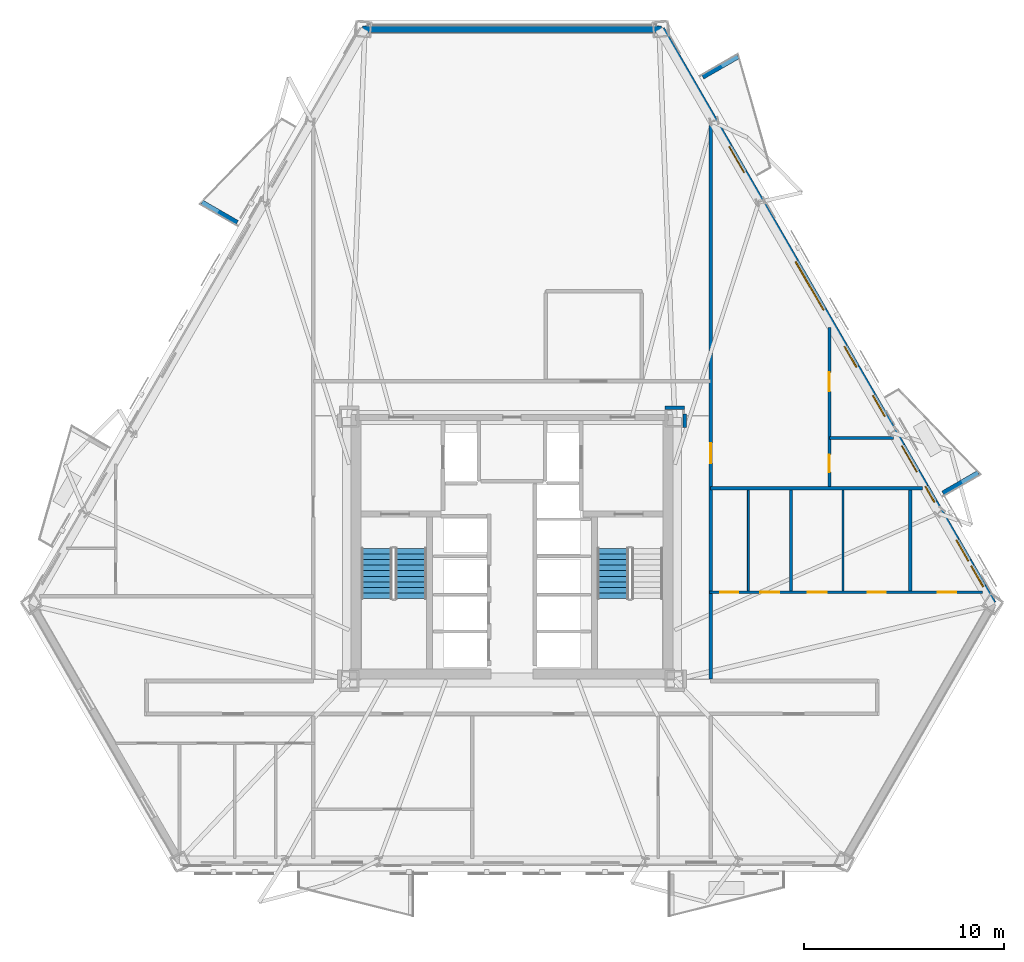
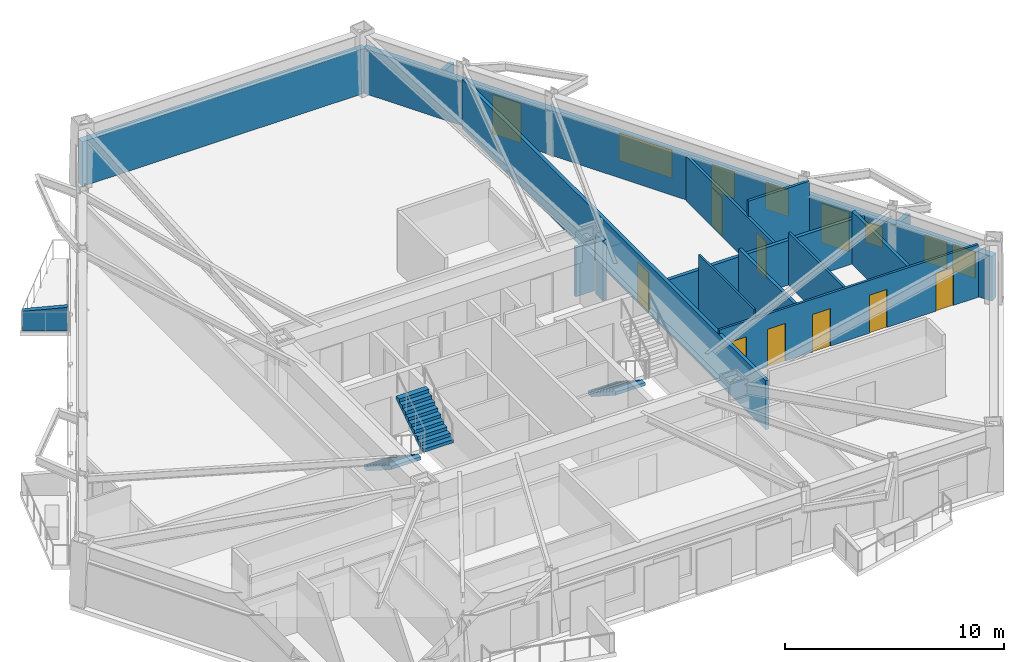
# One storey, part 5 of 12: 16 walls, 10 doors, 6 windows, 3 stair flights, 16 openings, 2 elements without a shape of their own.
"""IFC4 building model written with IfcOpenShell, lengths in metres."""

from ifc_helpers import new_model, si_unit, direction, frame, frame_2d, origin, place, context, subcontext, project, spatial, polyline, rectangle, outline, extrude, material, layer, layer_set, type_object, element, fill, aggregate, save


model = new_model("IFC4")

# Units and contexts
model_context = context("Model", 3, precision=1e-05, world=origin(), true_north=direction((0.0, 1.0)))
body_context = subcontext(model_context, "Body", "Model", "MODEL_VIEW")
ifc_project = project(units=[si_unit("LENGTHUNIT", "METRE"), si_unit("AREAUNIT", "SQUARE_METRE"), si_unit("VOLUMEUNIT", "CUBIC_METRE"), si_unit("PLANEANGLEUNIT", "RADIAN"), si_unit("MASSUNIT", "GRAM", prefix="KILO")], contexts=[model_context])

# Site, building, storey
site_placement = place(None, origin())
site = spatial("IfcSite", under=ifc_project, at=site_placement, CompositionType="ELEMENT")
building_placement = place(site_placement, origin())
building = spatial("IfcBuilding", under=site, at=building_placement, Name="Oramaril Tower", CompositionType="ELEMENT")
storey_placement = place(building_placement, frame((0.0, 0.0, 45.300048828125)))
storey = spatial("IfcBuildingStorey", under=building, at=storey_placement, Name="L11", CompositionType="ELEMENT", Elevation=45.300048828125)

# Wall, openings, doors, windows
ifc_material_1 = material(Name="Warm Cream Limestone", Category="masonry")
ifc_layer_1 = layer(ifc_material_1, 0.340087890625)
ifc_layer_set_1 = layer_set([ifc_layer_1], Name="WT-EXT34")
wall_type_1 = type_object("IfcWallType", Name="WT-EXT34", PredefinedType="SOLIDWALL", material=ifc_layer_set_1)
wall_1_placement = place(storey_placement, frame((61.58447265625, 14.8291015625, 0.0), z_axis=(0.0, 0.0, 1.0), x_axis=(-0.500004112523, 0.866023029405, 0.0)))
wall_1 = element("IfcWall", 1, at=wall_1_placement, inside=storey, type_object=wall_type_1, Name="L11 Tower Limestone Facade Wall 4M", PredefinedType="SOLIDWALL", context=body_context, shape_type="SweptSolid", body=[
    extrude(rectangle(XDim=33.214111328125, YDim=0.340087890625, at=frame_2d((16.60693359375, 0.0))), origin(), (0.0, 0.0, 1.0), 2.493896484375),
])
opening_1_placement = place(wall_1_placement, frame((7.614501953125, 0.0, 0.0)))
opening_1 = element("IfcOpeningElement", 2, at=opening_1_placement, cuts=wall_1, Name="Opening D-L11-BAL-NE1", PredefinedType="OPENING", context=body_context, shape_type="SweptSolid", body=[
    extrude(rectangle(XDim=1.5, YDim=2.199951171875, at=frame_2d((0.75, 1.10009765625))), frame((0.0, 0.169921875, 0.0), z_axis=(0.0, -1.0, 0.0), x_axis=(1.0, 0.0, 0.0)), (0.0, 0.0, 1.0), 0.340087890625),
])
opening_2_placement = place(wall_1_placement, frame((24.9248046875, 0.0, 0.0)))
opening_2 = element("IfcOpeningElement", 3, at=opening_2_placement, cuts=wall_1, Name="Opening D-L11-BAL-NE2", PredefinedType="OPENING", context=body_context, shape_type="SweptSolid", body=[
    extrude(rectangle(XDim=1.5, YDim=2.199951171875, at=frame_2d((0.75, 1.10009765625))), frame((0.0, 0.169921875, 0.0), z_axis=(0.0, -1.0, 0.0), x_axis=(1.0, 0.0, 0.0)), (0.0, 0.0, 1.0), 0.340087890625),
])
opening_3_placement = place(wall_1_placement, frame((0.97119140625, 0.0, 0.85009765625)))
opening_3 = element("IfcOpeningElement", 4, at=opening_3_placement, cuts=wall_1, Name="Opening WN-09", PredefinedType="OPENING", context=body_context, shape_type="SweptSolid", body=[
    extrude(rectangle(XDim=1.199951171875, YDim=1.47998046875, at=frame_2d((0.60009765625, 0.739990234375))), frame((0.0, 0.169921875, 0.0), z_axis=(0.0, -1.0, 0.0), x_axis=(1.0, 0.0, 0.0)), (0.0, 0.0, 1.0), 0.340087890625),
])
opening_4_placement = place(wall_1_placement, frame((2.462158203125, 0.0, 0.85009765625)))
opening_4 = element("IfcOpeningElement", 5, at=opening_4_placement, cuts=wall_1, Name="Opening WN-09", PredefinedType="OPENING", context=body_context, shape_type="SweptSolid", body=[
    extrude(rectangle(XDim=1.199951171875, YDim=1.47998046875, at=frame_2d((0.60009765625, 0.739990234375))), frame((0.0, 0.169921875, 0.0), z_axis=(0.0, -1.0, 0.0), x_axis=(1.0, 0.0, 0.0)), (0.0, 0.0, 1.0), 0.340087890625),
])
opening_5_placement = place(wall_1_placement, frame((16.96484375, 0.0, 0.85009765625)))
opening_5 = element("IfcOpeningElement", 6, at=opening_5_placement, cuts=wall_1, Name="Opening WN-01", PredefinedType="OPENING", context=body_context, shape_type="SweptSolid", body=[
    extrude(rectangle(XDim=2.800048828125, YDim=1.533935546875, at=frame_2d((1.39990234375, 0.76708984375))), frame((0.0, 0.169921875, 0.0), z_axis=(0.0, -1.0, 0.0), x_axis=(1.0, 0.0, 0.0)), (0.0, 0.0, 1.0), 0.340087890625),
])
opening_6_placement = place(wall_1_placement, frame((10.8232421875, 0.0, 0.85009765625)))
opening_6 = element("IfcOpeningElement", 7, at=opening_6_placement, cuts=wall_1, Name="Opening WN-09", PredefinedType="OPENING", context=body_context, shape_type="SweptSolid", body=[
    extrude(rectangle(XDim=1.199951171875, YDim=1.47998046875, at=frame_2d((0.60009765625, 0.739990234375))), frame((0.0, 0.169921875, 0.0), z_axis=(0.0, -1.0, 0.0), x_axis=(1.0, 0.0, 0.0)), (0.0, 0.0, 1.0), 0.340087890625),
])
opening_7_placement = place(wall_1_placement, frame((13.666015625, 0.0, 0.85009765625)))
opening_7 = element("IfcOpeningElement", 8, at=opening_7_placement, cuts=wall_1, Name="Opening WN-09", PredefinedType="OPENING", context=body_context, shape_type="SweptSolid", body=[
    extrude(rectangle(XDim=1.199951171875, YDim=1.47998046875, at=frame_2d((0.60009765625, 0.739990234375))), frame((0.0, 0.169921875, 0.0), z_axis=(0.0, -1.0, 0.0), x_axis=(1.0, 0.0, 0.0)), (0.0, 0.0, 1.0), 0.340087890625),
])
opening_8_placement = place(wall_1_placement, frame((5.85888671875, 0.0, 0.85009765625)))
opening_8 = element("IfcOpeningElement", 9, at=opening_8_placement, cuts=wall_1, Name="Opening WN-12", PredefinedType="OPENING", context=body_context, shape_type="SweptSolid", body=[
    extrude(rectangle(XDim=0.89990234375, YDim=1.14990234375, at=frame_2d((0.449951171875, 0.574951171875))), frame((0.0, 0.169921875, 0.0), z_axis=(0.0, -1.0, 0.0), x_axis=(1.0, 0.0, 0.0)), (0.0, 0.0, 1.0), 0.340087890625),
])
ifc_material_2 = material(Name="Anodised Aluminium 6063-T6", Category="aluminium")
door_type_1 = type_object("IfcDoorType", Name="DT-BAL", OperationType="NOTDEFINED", PredefinedType="DOOR", material=ifc_material_2)
door_1_placement = place(opening_1_placement, origin())
door_1 = element("IfcDoor", 10, at=door_1_placement, inside=storey, type_object=door_type_1, Name="L11 Balcony Glazed Door L11-BAL-NE1", OperationType="SINGLE_SWING_RIGHT", OverallHeight=2.199951171875, OverallWidth=1.5, PredefinedType="DOOR", context=body_context, shape_type="SweptSolid", body=[
    extrude(rectangle(XDim=1.5, YDim=2.199951171875, at=frame_2d((0.75, 1.10009765625))), frame((0.0, 0.02490234375, 0.0), z_axis=(0.0, -1.0, 0.0), x_axis=(1.0, 0.0, 0.0)), (0.0, 0.0, 1.0), 0.050048828125),
])
fill(opening_1, door_1)
door_2_placement = place(opening_2_placement, origin())
door_2 = element("IfcDoor", 11, at=door_2_placement, inside=storey, type_object=door_type_1, Name="L11 Balcony Glazed Door L11-BAL-NE2", OperationType="SINGLE_SWING_LEFT", OverallHeight=2.199951171875, OverallWidth=1.5, PredefinedType="DOOR", context=body_context, shape_type="SweptSolid", body=[
    extrude(rectangle(XDim=1.5, YDim=2.199951171875, at=frame_2d((0.75, 1.10009765625))), frame((0.0, 0.02490234375, 0.0), z_axis=(0.0, -1.0, 0.0), x_axis=(1.0, 0.0, 0.0)), (0.0, 0.0, 1.0), 0.050048828125),
])
fill(opening_2, door_2)
ifc_material_3 = material(Name="Coastal Low-E Insulated Glass", Category="glass")
window_type_1 = type_object("IfcWindowType", Name="WNT-01", PartitioningType="SINGLE_PANEL", PredefinedType="WINDOW", material=ifc_material_3)
window_1_placement = place(opening_5_placement, origin())
window_1 = element("IfcWindow", 12, at=window_1_placement, inside=storey, type_object=window_type_1, Name="L11 Chicago Bay Window WN-01", OverallHeight=1.533935546875, OverallWidth=2.800048828125, PartitioningType="SINGLE_PANEL", PredefinedType="WINDOW", context=body_context, shape_type="SweptSolid", body=[
    extrude(rectangle(XDim=2.800048828125, YDim=1.533935546875, at=frame_2d((1.39990234375, 0.76708984375))), frame((0.0, 0.030029296875, 0.0), z_axis=(0.0, -1.0, 0.0), x_axis=(1.0, 0.0, 0.0)), (0.0, 0.0, 1.0), 0.06005859375),
])
fill(opening_5, window_1)
ifc_material_4 = material(Name="Coastal Low-E Insulated Glass", Category="glass")
window_type_2 = type_object("IfcWindowType", Name="WNT-09", PartitioningType="SINGLE_PANEL", PredefinedType="WINDOW", material=ifc_material_4)
window_2_placement = place(opening_3_placement, origin())
window_2 = element("IfcWindow", 13, at=window_2_placement, inside=storey, type_object=window_type_2, Name="L11 Chicago Bay Window WN-09", OverallHeight=1.47998046875, OverallWidth=1.199951171875, PartitioningType="SINGLE_PANEL", PredefinedType="WINDOW", context=body_context, shape_type="SweptSolid", body=[
    extrude(rectangle(XDim=1.199951171875, YDim=1.47998046875, at=frame_2d((0.60009765625, 0.739990234375))), frame((0.0, 0.030029296875, 0.0), z_axis=(0.0, -1.0, 0.0), x_axis=(1.0, 0.0, 0.0)), (0.0, 0.0, 1.0), 0.06005859375),
])
fill(opening_3, window_2)
window_3_placement = place(opening_4_placement, origin())
window_3 = element("IfcWindow", 14, at=window_3_placement, inside=storey, type_object=window_type_2, Name="L11 Chicago Bay Window WN-09", OverallHeight=1.47998046875, OverallWidth=1.199951171875, PartitioningType="SINGLE_PANEL", PredefinedType="WINDOW", context=body_context, shape_type="SweptSolid", body=[
    extrude(rectangle(XDim=1.199951171875, YDim=1.47998046875, at=frame_2d((0.60009765625, 0.739990234375))), frame((0.0, 0.030029296875, 0.0), z_axis=(0.0, -1.0, 0.0), x_axis=(1.0, 0.0, 0.0)), (0.0, 0.0, 1.0), 0.06005859375),
])
fill(opening_4, window_3)
window_4_placement = place(opening_6_placement, origin())
window_4 = element("IfcWindow", 15, at=window_4_placement, inside=storey, type_object=window_type_2, Name="L11 Chicago Bay Window WN-09", OverallHeight=1.47998046875, OverallWidth=1.199951171875, PartitioningType="SINGLE_PANEL", PredefinedType="WINDOW", context=body_context, shape_type="SweptSolid", body=[
    extrude(rectangle(XDim=1.199951171875, YDim=1.47998046875, at=frame_2d((0.60009765625, 0.739990234375))), frame((0.0, 0.030029296875, 0.0), z_axis=(0.0, -1.0, 0.0), x_axis=(1.0, 0.0, 0.0)), (0.0, 0.0, 1.0), 0.06005859375),
])
fill(opening_6, window_4)
window_5_placement = place(opening_7_placement, origin())
window_5 = element("IfcWindow", 16, at=window_5_placement, inside=storey, type_object=window_type_2, Name="L11 Chicago Bay Window WN-09", OverallHeight=1.47998046875, OverallWidth=1.199951171875, PartitioningType="SINGLE_PANEL", PredefinedType="WINDOW", context=body_context, shape_type="SweptSolid", body=[
    extrude(rectangle(XDim=1.199951171875, YDim=1.47998046875, at=frame_2d((0.60009765625, 0.739990234375))), frame((0.0, 0.030029296875, 0.0), z_axis=(0.0, -1.0, 0.0), x_axis=(1.0, 0.0, 0.0)), (0.0, 0.0, 1.0), 0.06005859375),
])
fill(opening_7, window_5)
ifc_material_5 = material(Name="Coastal Low-E Insulated Glass", Category="glass")
window_type_3 = type_object("IfcWindowType", Name="WNT-12", PartitioningType="SINGLE_PANEL", PredefinedType="WINDOW", material=ifc_material_5)
window_6_placement = place(opening_8_placement, origin())
window_6 = element("IfcWindow", 17, at=window_6_placement, inside=storey, type_object=window_type_3, Name="L11 Apartment Bedroom Window WN-12", OverallHeight=1.14990234375, OverallWidth=0.89990234375, PartitioningType="SINGLE_PANEL", PredefinedType="WINDOW", context=body_context, shape_type="SweptSolid", body=[
    extrude(rectangle(XDim=0.89990234375, YDim=1.14990234375, at=frame_2d((0.449951171875, 0.574951171875))), frame((0.0, 0.030029296875, 0.0), z_axis=(0.0, -1.0, 0.0), x_axis=(1.0, 0.0, 0.0)), (0.0, 0.0, 1.0), 0.06005859375),
])
fill(opening_8, window_6)

# Walls
wall_2_placement = place(storey_placement, frame((44.977294921875, 43.59326171875, 0.0), z_axis=(0.0, 0.0, 1.0), x_axis=(-1.0, 0.0, 0.0)))
element("IfcWall", 18, at=wall_2_placement, inside=storey, type_object=wall_type_1, Name="L11 Tower Limestone Facade Wall 5M", PredefinedType="SOLIDWALL", context=body_context, shape_type="SweptSolid", body=[
    extrude(rectangle(XDim=14.95458984375, YDim=0.340087890625, at=frame_2d((7.477294921875, 0.0))), origin(), (0.0, 0.0, 1.0), 2.493896484375),
])
ifc_material_6 = material(Name="Concrete C40/50", Category="concrete")
ifc_layer_2 = layer(ifc_material_6, 0.22998046875)
ifc_layer_set_2 = layer_set([ifc_layer_2], Name="WT-PRP23")
wall_type_2 = type_object("IfcWallType", Name="WT-PRP23", PredefinedType="PARAPET", material=ifc_layer_set_2)
for number, where, z_axis, x_axis, name in (
    (19, (59.08251953125, 20.3583984375, 0.0), (0.0, 0.0, 1.0), (0.866042246008, 0.499970827278, 0.0), "L11 Trapezoidal Balcony Frame Cheek L11-BAL-NE1-L"),
    (20, (47.052490234375, 41.195068359375, 0.0), (0.0, 0.0, 1.0), (0.866012356593, 0.500022597718, 0.0), "L11 Trapezoidal Balcony Frame Cheek L11-BAL-NE2-R"),
    (21, (23.739990234375, 33.907470703125, 0.0), (0.0, 0.0, 1.0), (-0.866012356593, 0.500022597718, 0.0), "L11 Trapezoidal Balcony Frame Cheek L11-BAL-NW1-R"),
):
    element("IfcWall", number, at=place(storey_placement, frame(where, z_axis=z_axis, x_axis=x_axis)), inside=storey, type_object=wall_type_2, Name=name, PredefinedType="PARAPET", context=body_context, shape_type="SweptSolid", body=[
        extrude(outline(polyline([(0.0, 0.0), (2.0419921875, 0.0), (2.0419921875, 1.099853515625), (0.0, 1.320068359375), (0.0, 0.0)])), frame((0.0, 0.114990234375, 0.0), z_axis=(0.0, -1.0, 0.0), x_axis=(1.0, 0.0, 0.0)), (0.0, 0.0, 1.0), 0.22998046875),
    ])
ifc_material_7 = material(Name="Acoustic Gypsum Board Partition")
ifc_layer_3 = layer(ifc_material_7, 0.10009765625)
ifc_layer_set_3 = layer_set([ifc_layer_3], Name="WT-PT10")
wall_type_3 = type_object("IfcWallType", Name="WT-PT10", PredefinedType="PARTITIONING", material=ifc_layer_set_3)
wall_3_placement = place(storey_placement, frame((49.340087890625, 15.464111328125, 0.0), z_axis=(0.0, 0.0, 1.0), x_axis=(0.0, 1.0, 0.0)))
element("IfcWall", 22, at=wall_3_placement, inside=storey, type_object=wall_type_3, Name="L11 Interior Partition PT-10", PredefinedType="PARTITIONING", context=body_context, shape_type="SweptSolid", body=[
    extrude(rectangle(XDim=5.0419921875, YDim=0.10009765625, at=frame_2d((2.52099609375, 0.0))), origin(), (0.0, 0.0, 1.0), 3.35986328125),
])

# Wall, openings, doors
ifc_material_8 = material(Name="Acoustic Gypsum Board Partition")
ifc_layer_4 = layer(ifc_material_8, 0.1201171875)
ifc_layer_set_4 = layer_set([ifc_layer_4], Name="WT-PT12")
wall_type_4 = type_object("IfcWallType", Name="WT-PT12", PredefinedType="PARTITIONING", material=ifc_layer_set_4)
wall_4_placement = place(storey_placement, frame((47.39990234375, 15.39990234375, 0.0), z_axis=(0.0, 0.0, 1.0), x_axis=(1.0, 0.0, 0.0)))
wall_4 = element("IfcWall", 23, at=wall_4_placement, inside=storey, type_object=wall_type_4, Name="L11 Interior Partition PT-12", PredefinedType="PARTITIONING", context=body_context, shape_type="SweptSolid", body=[
    extrude(rectangle(XDim=13.65380859375, YDim=0.1201171875, at=frame_2d((6.826904296875, 0.0))), origin(), (0.0, 0.0, 1.0), 2.946044921875),
])
opening_9_placement = place(wall_4_placement, frame((0.5400390625, 0.0, 0.0)))
opening_9 = element("IfcOpeningElement", 24, at=opening_9_placement, cuts=wall_4, Name="Opening D-L11-10", PredefinedType="OPENING", context=body_context, shape_type="SweptSolid", body=[
    extrude(rectangle(XDim=0.8798828125, YDim=2.080078125, at=frame_2d((0.43994140625, 1.0400390625))), frame((0.0, 0.06005859375, 0.0), z_axis=(0.0, -1.0, 0.0), x_axis=(1.0, 0.0, 0.0)), (0.0, 0.0, 1.0), 0.1201171875),
])
opening_10_placement = place(wall_4_placement, frame((2.537109375, 0.0, 0.0)))
opening_10 = element("IfcOpeningElement", 25, at=opening_10_placement, cuts=wall_4, Name="Opening D-L11-11", PredefinedType="OPENING", context=body_context, shape_type="SweptSolid", body=[
    extrude(rectangle(XDim=0.949951171875, YDim=2.10009765625, at=frame_2d((0.47509765625, 1.050048828125))), frame((0.0, 0.06005859375, 0.0), z_axis=(0.0, -1.0, 0.0), x_axis=(1.0, 0.0, 0.0)), (0.0, 0.0, 1.0), 0.1201171875),
])
opening_11_placement = place(wall_4_placement, frame((4.9091796875, 0.0, 0.0)))
opening_11 = element("IfcOpeningElement", 26, at=opening_11_placement, cuts=wall_4, Name="Opening D-L11-12", PredefinedType="OPENING", context=body_context, shape_type="SweptSolid", body=[
    extrude(rectangle(XDim=0.949951171875, YDim=2.10009765625, at=frame_2d((0.47509765625, 1.050048828125))), frame((0.0, 0.06005859375, 0.0), z_axis=(0.0, -1.0, 0.0), x_axis=(1.0, 0.0, 0.0)), (0.0, 0.0, 1.0), 0.1201171875),
])
opening_12_placement = place(wall_4_placement, frame((7.908447265625, 0.0, 0.0)))
opening_12 = element("IfcOpeningElement", 27, at=opening_12_placement, cuts=wall_4, Name="Opening D-L11-13", PredefinedType="OPENING", context=body_context, shape_type="SweptSolid", body=[
    extrude(rectangle(XDim=0.919921875, YDim=2.1201171875, at=frame_2d((0.4599609375, 1.06005859375))), frame((0.0, 0.06005859375, 0.0), z_axis=(0.0, -1.0, 0.0), x_axis=(1.0, 0.0, 0.0)), (0.0, 0.0, 1.0), 0.1201171875),
])
opening_13_placement = place(wall_4_placement, frame((11.42236328125, 0.0, 0.0)))
opening_13 = element("IfcOpeningElement", 28, at=opening_13_placement, cuts=wall_4, Name="Opening D-L11-14", PredefinedType="OPENING", context=body_context, shape_type="SweptSolid", body=[
    extrude(rectangle(XDim=0.919921875, YDim=2.1201171875, at=frame_2d((0.4599609375, 1.06005859375))), frame((0.0, 0.06005859375, 0.0), z_axis=(0.0, -1.0, 0.0), x_axis=(1.0, 0.0, 0.0)), (0.0, 0.0, 1.0), 0.1201171875),
])
ifc_material_9 = material(Name="FSC Brazilian Freijo Hardwood", Category="wood")
door_type_2 = type_object("IfcDoorType", Name="DT-BATH", OperationType="NOTDEFINED", PredefinedType="DOOR", material=ifc_material_9)
door_3_placement = place(opening_9_placement, origin())
door_3 = element("IfcDoor", 29, at=door_3_placement, inside=storey, type_object=door_type_2, Name="L11 Flat L11-U5 Bathroom Door D-L11-10", OperationType="SINGLE_SWING_LEFT", OverallHeight=2.080078125, OverallWidth=0.8798828125, PredefinedType="DOOR", context=body_context, shape_type="SweptSolid", body=[
    extrude(rectangle(XDim=0.8798828125, YDim=2.080078125, at=frame_2d((0.43994140625, 1.0400390625))), frame((0.0, 0.02490234375, 0.0), z_axis=(0.0, -1.0, 0.0), x_axis=(1.0, 0.0, 0.0)), (0.0, 0.0, 1.0), 0.050048828125),
])
fill(opening_9, door_3)
ifc_material_10 = material(Name="FSC Brazilian Freijo Hardwood", Category="wood")
door_type_3 = type_object("IfcDoorType", Name="DT-BED", OperationType="NOTDEFINED", PredefinedType="DOOR", material=ifc_material_10)
door_4_placement = place(opening_12_placement, origin())
door_4 = element("IfcDoor", 30, at=door_4_placement, inside=storey, type_object=door_type_3, Name="L11 Flat L11-U5 Bedroom 2 Door D-L11-13", OperationType="SINGLE_SWING_RIGHT", OverallHeight=2.1201171875, OverallWidth=0.919921875, PredefinedType="DOOR", context=body_context, shape_type="SweptSolid", body=[
    extrude(rectangle(XDim=0.919921875, YDim=2.1201171875, at=frame_2d((0.4599609375, 1.06005859375))), frame((0.0, 0.02490234375, 0.0), z_axis=(0.0, -1.0, 0.0), x_axis=(1.0, 0.0, 0.0)), (0.0, 0.0, 1.0), 0.050048828125),
])
fill(opening_12, door_4)
door_5_placement = place(opening_13_placement, origin())
door_5 = element("IfcDoor", 31, at=door_5_placement, inside=storey, type_object=door_type_3, Name="L11 Flat L11-U5 Master Bedroom Door D-L11-14", OperationType="SINGLE_SWING_LEFT", OverallHeight=2.1201171875, OverallWidth=0.919921875, PredefinedType="DOOR", context=body_context, shape_type="SweptSolid", body=[
    extrude(rectangle(XDim=0.919921875, YDim=2.1201171875, at=frame_2d((0.4599609375, 1.06005859375))), frame((0.0, 0.02490234375, 0.0), z_axis=(0.0, -1.0, 0.0), x_axis=(1.0, 0.0, 0.0)), (0.0, 0.0, 1.0), 0.050048828125),
])
fill(opening_13, door_5)
ifc_material_11 = material(Name="FSC Brazilian Freijo Hardwood", Category="wood")
door_type_4 = type_object("IfcDoorType", Name="DT-STDY", OperationType="NOTDEFINED", PredefinedType="DOOR", material=ifc_material_11)
door_6_placement = place(opening_10_placement, origin())
door_6 = element("IfcDoor", 32, at=door_6_placement, inside=storey, type_object=door_type_4, Name="L11 Flat L11-U5 Kitchen Door D-L11-11", OperationType="SINGLE_SWING_RIGHT", OverallHeight=2.10009765625, OverallWidth=0.949951171875, PredefinedType="DOOR", context=body_context, shape_type="SweptSolid", body=[
    extrude(rectangle(XDim=0.949951171875, YDim=2.10009765625, at=frame_2d((0.47509765625, 1.050048828125))), frame((0.0, 0.02490234375, 0.0), z_axis=(0.0, -1.0, 0.0), x_axis=(1.0, 0.0, 0.0)), (0.0, 0.0, 1.0), 0.050048828125),
])
fill(opening_10, door_6)
door_7_placement = place(opening_11_placement, origin())
door_7 = element("IfcDoor", 33, at=door_7_placement, inside=storey, type_object=door_type_4, Name="L11 Flat L11-U5 Reading Study Door D-L11-12", OperationType="SINGLE_SWING_LEFT", OverallHeight=2.10009765625, OverallWidth=0.949951171875, PredefinedType="DOOR", context=body_context, shape_type="SweptSolid", body=[
    extrude(rectangle(XDim=0.949951171875, YDim=2.10009765625, at=frame_2d((0.47509765625, 1.050048828125))), frame((0.0, 0.02490234375, 0.0), z_axis=(0.0, -1.0, 0.0), x_axis=(1.0, 0.0, 0.0)), (0.0, 0.0, 1.0), 0.050048828125),
])
fill(opening_11, door_7)

# Walls
wall_5_placement = place(storey_placement, frame((54.080078125, 15.464111328125, 0.0), z_axis=(0.0, 0.0, 1.0), x_axis=(0.0, 1.0, 0.0)))
element("IfcWall", 34, at=wall_5_placement, inside=storey, type_object=wall_type_4, Name="L11 Interior Partition PT-12", PredefinedType="PARTITIONING", context=body_context, shape_type="SweptSolid", body=[
    extrude(rectangle(XDim=5.0419921875, YDim=0.1201171875, at=frame_2d((2.52099609375, 0.0))), origin(), (0.0, 0.0, 1.0), 2.946044921875),
])
ifc_material_12 = material(Name="Acoustic Gypsum Board Partition")
ifc_layer_5 = layer(ifc_material_12, 0.139892578125)
ifc_layer_set_5 = layer_set([ifc_layer_5], Name="WT-PT14")
wall_type_5 = type_object("IfcWallType", Name="WT-PT14", PredefinedType="PARTITIONING", material=ifc_layer_set_5)
wall_6_placement = place(storey_placement, frame((53.40234375, 23.1201171875, 0.0), z_axis=(0.0, 0.0, 1.0), x_axis=(1.0, 0.0, 0.0)))
element("IfcWall", 35, at=wall_6_placement, inside=storey, type_object=wall_type_5, Name="L11 Interior Partition PT-14", PredefinedType="PARTITIONING", context=body_context, shape_type="SweptSolid", body=[
    extrude(rectangle(XDim=3.1943359375, YDim=0.139892578125, at=frame_2d((1.59716796875, 0.0))), origin(), (0.0, 0.0, 1.0), 3.35986328125),
])

# Wall, openings, doors
wall_7_placement = place(storey_placement, frame((53.39990234375, 20.694091796875, 0.0), z_axis=(0.0, 0.0, 1.0), x_axis=(0.0, 1.0, 0.0)))
wall_7 = element("IfcWall", 36, at=wall_7_placement, inside=storey, type_object=wall_type_5, Name="L11 Interior Partition PT-14", PredefinedType="PARTITIONING", context=body_context, shape_type="SweptSolid", body=[
    extrude(rectangle(XDim=7.962646484375, YDim=0.139892578125, at=frame_2d((3.9814453125, 0.0))), origin(), (0.0, 0.0, 1.0), 2.493896484375),
])
opening_14_placement = place(wall_7_placement, frame((0.7109375, 0.0, 0.0)))
opening_14 = element("IfcOpeningElement", 37, at=opening_14_placement, cuts=wall_7, Name="Opening D-L11-21", PredefinedType="OPENING", context=body_context, shape_type="SweptSolid", body=[
    extrude(rectangle(XDim=0.8798828125, YDim=2.080078125, at=frame_2d((0.43994140625, 1.0400390625))), frame((0.0, 0.06982421875, 0.0), z_axis=(0.0, -1.0, 0.0), x_axis=(1.0, 0.0, 0.0)), (0.0, 0.0, 1.0), 0.139892578125),
])
opening_15_placement = place(wall_7_placement, frame((4.75634765625, 0.0, 0.0)))
opening_15 = element("IfcOpeningElement", 38, at=opening_15_placement, cuts=wall_7, Name="Opening D-L11-22", PredefinedType="OPENING", context=body_context, shape_type="SweptSolid", body=[
    extrude(rectangle(XDim=0.949951171875, YDim=2.10009765625, at=frame_2d((0.47509765625, 1.050048828125))), frame((0.0, 0.06982421875, 0.0), z_axis=(0.0, -1.0, 0.0), x_axis=(1.0, 0.0, 0.0)), (0.0, 0.0, 1.0), 0.139892578125),
])
door_8_placement = place(opening_14_placement, origin())
door_8 = element("IfcDoor", 39, at=door_8_placement, inside=storey, type_object=door_type_2, Name="L11 Flat L11-U6 Bathroom Door D-L11-21", OperationType="SINGLE_SWING_RIGHT", OverallHeight=2.080078125, OverallWidth=0.8798828125, PredefinedType="DOOR", context=body_context, shape_type="SweptSolid", body=[
    extrude(rectangle(XDim=0.8798828125, YDim=2.080078125, at=frame_2d((0.43994140625, 1.0400390625))), frame((0.0, 0.02490234375, 0.0), z_axis=(0.0, -1.0, 0.0), x_axis=(1.0, 0.0, 0.0)), (0.0, 0.0, 1.0), 0.050048828125),
])
fill(opening_14, door_8)
door_9_placement = place(opening_15_placement, origin())
door_9 = element("IfcDoor", 40, at=door_9_placement, inside=storey, type_object=door_type_4, Name="L11 Flat L11-U6 Kitchen Door D-L11-22", OperationType="SINGLE_SWING_LEFT", OverallHeight=2.10009765625, OverallWidth=0.949951171875, PredefinedType="DOOR", context=body_context, shape_type="SweptSolid", body=[
    extrude(rectangle(XDim=0.949951171875, YDim=2.10009765625, at=frame_2d((0.47509765625, 1.050048828125))), frame((0.0, 0.02490234375, 0.0), z_axis=(0.0, -1.0, 0.0), x_axis=(1.0, 0.0, 0.0)), (0.0, 0.0, 1.0), 0.050048828125),
])
fill(opening_15, door_9)

# Walls
ifc_material_13 = material(Name="Acoustic Gypsum Board Partition")
ifc_layer_6 = layer(ifc_material_13, 0.159912109375)
ifc_layer_set_6 = layer_set([ifc_layer_6], Name="WT-PT16")
wall_type_6 = type_object("IfcWallType", Name="WT-PT16", PredefinedType="PARTITIONING", material=ifc_layer_set_6)
for number, where, z_axis, x_axis, name in (
    (41, (51.47998046875, 15.464111328125, 0.0), (0.0, 0.0, 1.0), (0.0, 1.0, 0.0), "L11 Interior Partition PT-16"),
    (42, (57.449951171875, 15.464111328125, 0.0), (0.0, 0.0, 1.0), (0.0, 1.0, 0.0), "L11 Interior Partition PT-16"),
):
    element("IfcWall", number, at=place(storey_placement, frame(where, z_axis=z_axis, x_axis=x_axis)), inside=storey, type_object=wall_type_6, Name=name, PredefinedType="PARTITIONING", context=body_context, shape_type="SweptSolid", body=[
        extrude(rectangle(XDim=5.0419921875, YDim=0.159912109375, at=frame_2d((2.52099609375, 0.0))), origin(), (0.0, 0.0, 1.0), 2.946044921875),
    ])
ifc_material_14 = material(Name="Autoclaved Cellular Concrete Block", Category="concrete")
ifc_layer_7 = layer(ifc_material_14, 0.179931640625)
ifc_layer_set_7 = layer_set([ifc_layer_7], Name="WT-PT18")
wall_type_7 = type_object("IfcWallType", Name="WT-PT18", PredefinedType="PARTITIONING", material=ifc_layer_set_7)
wall_8_placement = place(storey_placement, frame((47.449951171875, 20.60009765625, 0.0), z_axis=(0.0, 0.0, 1.0), x_axis=(1.0, 0.0, 0.0)))
element("IfcWall", 43, at=wall_8_placement, inside=storey, type_object=wall_type_7, Name="L11 Interior Partition PT-18", PredefinedType="PARTITIONING", context=body_context, shape_type="SweptSolid", body=[
    extrude(rectangle(XDim=10.6015625, YDim=0.179931640625, at=frame_2d((5.30078125, 0.0))), origin(), (0.0, 0.0, 1.0), 2.493896484375),
])
wall_9_placement = place(storey_placement, frame((45.155029296875, 24.639892578125, 0.0), z_axis=(0.0, 0.0, 1.0), x_axis=(1.0, 0.0, 0.0)))
element("IfcWall", 44, at=wall_9_placement, inside=storey, type_object=wall_type_7, Name="L11 Interior Partition PT-18", PredefinedType="PARTITIONING", context=body_context, shape_type="SweptSolid", body=[
    extrude(rectangle(XDim=0.989990234375, YDim=0.179931640625, at=frame_2d((0.4951171875, 0.0))), origin(), (0.0, 0.0, 1.0), 2.738037109375),
])
wall_10_placement = place(storey_placement, frame((46.14990234375, 23.655029296875, 0.0), z_axis=(0.0, 0.0, 1.0), x_axis=(0.0, 1.0, 0.0)))
element("IfcWall", 45, at=wall_10_placement, inside=storey, type_object=wall_type_7, Name="L11 Interior Partition PT-18", PredefinedType="PARTITIONING", context=body_context, shape_type="SweptSolid", body=[
    extrude(rectangle(XDim=0.6650390625, YDim=0.179931640625, at=frame_2d((0.33251953125, 0.0))), origin(), (0.0, 0.0, 1.0), 3.35986328125),
])

# Wall, opening, door
wall_11_placement = place(storey_placement, frame((47.449951171875, 11.0439453125, 0.0), z_axis=(0.0, 0.0, 1.0), x_axis=(0.0, 1.0, 0.0)))
wall_11 = element("IfcWall", 46, at=wall_11_placement, inside=storey, type_object=wall_type_7, Name="L11 Interior Partition PT-18", PredefinedType="PARTITIONING", context=body_context, shape_type="SweptSolid", body=[
    extrude(rectangle(XDim=27.71533203125, YDim=0.179931640625, at=frame_2d((13.857666015625, 0.0))), origin(), (0.0, 0.0, 1.0), 2.738037109375),
])
opening_16_placement = place(wall_11_placement, frame((10.822021484375, 0.0, 0.0)))
opening_16 = element("IfcOpeningElement", 47, at=opening_16_placement, cuts=wall_11, Name="Opening D-L11-20", PredefinedType="OPENING", context=body_context, shape_type="SweptSolid", body=[
    extrude(rectangle(XDim=1.0, YDim=2.179931640625, at=frame_2d((0.5, 1.08984375))), frame((0.0, 0.08984375, 0.0), z_axis=(0.0, -1.0, 0.0), x_axis=(1.0, 0.0, 0.0)), (0.0, 0.0, 1.0), 0.179931640625),
])
ifc_material_15 = material(Name="FSC Brazilian Freijo Hardwood", Category="wood")
door_type_5 = type_object("IfcDoorType", Name="DT-APT", OperationType="NOTDEFINED", PredefinedType="DOOR", material=ifc_material_15)
door_10_placement = place(opening_16_placement, origin())
door_10 = element("IfcDoor", 48, at=door_10_placement, inside=storey, type_object=door_type_5, Name="L11 Flat L11-U6 Studio Apartment Door D-L11-20", OperationType="SINGLE_SWING_LEFT", OverallHeight=2.179931640625, OverallWidth=1.0, PredefinedType="DOOR", context=body_context, shape_type="SweptSolid", body=[
    extrude(rectangle(XDim=1.0, YDim=2.179931640625, at=frame_2d((0.5, 1.08984375))), frame((0.0, 0.02490234375, 0.0), z_axis=(0.0, -1.0, 0.0), x_axis=(1.0, 0.0, 0.0)), (0.0, 0.0, 1.0), 0.050048828125),
])
fill(opening_16, door_10)

# Stair, stair flights
ifc_material_16 = material(Name="Concrete C50/60", Category="concrete")
stair_type = type_object("IfcStairType", Name="STT-DG-3600", PredefinedType="HALF_TURN_STAIR", material=ifc_material_16)
stair_1_placement = place(storey_placement, origin())
stair_1 = element("IfcStair", 49, at=stair_1_placement, inside=storey, type_object=stair_type, Name="L11 Protected PFP Exit Stair ST-1", PredefinedType="HALF_TURN_STAIR")
ifc_material_17 = material(Name="Concrete C50/60", Category="concrete")
stair_flight_type = type_object("IfcStairFlightType", Name="SFT-DG-3600", PredefinedType="STRAIGHT", material=ifc_material_17)
stair_flight_1_placement = place(storey_placement, frame((30.72998046875, 17.590087890625, 0.0), z_axis=(0.0, 0.0, 1.0), x_axis=(0.0, -1.0, 0.0)))
stair_flight_1 = element("IfcStairFlight", 50, at=stair_flight_1_placement, type_object=stair_flight_type, Name="ST-1 flight 1", NumberOfRisers=10, NumberOfTreads=9, PredefinedType="STRAIGHT", RiserHeight=0.18, TreadLength=0.28, context=body_context, shape_type="SweptSolid", body=[
    extrude(outline(polyline([(0.0, 0.0), (0.0, 0.179931640625), (0.280029296875, 0.179931640625), (0.280029296875, 0.360107421875), (0.56005859375, 0.360107421875), (0.56005859375, 0.5400390625), (0.840087890625, 0.5400390625), (0.840087890625, 0.719970703125), (1.1201171875, 0.719970703125), (1.1201171875, 0.89990234375), (1.39990234375, 0.89990234375), (1.39990234375, 1.080078125), (1.679931640625, 1.080078125), (1.679931640625, 1.260009765625), (1.9599609375, 1.260009765625), (1.9599609375, 1.43994140625), (2.239990234375, 1.43994140625), (2.239990234375, 1.6201171875), (2.52001953125, 1.6201171875), (2.52001953125, 1.800048828125), (2.52001953125, 1.44189453125), (0.277099609375, 0.0), (0.0, 0.0)])), frame((0.0, 0.780029296875, 0.0), z_axis=(0.0, -1.0, 0.0), x_axis=(1.0, 0.0, 0.0)), (0.0, 0.0, 1.0), 1.56005859375),
])
stair_flight_2_placement = place(storey_placement, frame((32.43994140625, 15.070068359375, 1.800048828125), z_axis=(0.0, 0.0, 1.0), x_axis=(0.0, 1.0, 0.0)))
stair_flight_2 = element("IfcStairFlight", 51, at=stair_flight_2_placement, type_object=stair_flight_type, Name="ST-1 flight 2", NumberOfRisers=10, NumberOfTreads=9, PredefinedType="STRAIGHT", RiserHeight=0.18, TreadLength=0.28, context=body_context, shape_type="SweptSolid", body=[
    extrude(outline(polyline([(0.0, 0.0), (0.0, 0.179931640625), (0.280029296875, 0.179931640625), (0.280029296875, 0.360107421875), (0.56005859375, 0.360107421875), (0.56005859375, 0.5400390625), (0.840087890625, 0.5400390625), (0.840087890625, 0.719970703125), (1.1201171875, 0.719970703125), (1.1201171875, 0.89990234375), (1.39990234375, 0.89990234375), (1.39990234375, 1.080078125), (1.679931640625, 1.080078125), (1.679931640625, 1.260009765625), (1.9599609375, 1.260009765625), (1.9599609375, 1.43994140625), (2.239990234375, 1.43994140625), (2.239990234375, 1.6201171875), (2.52001953125, 1.6201171875), (2.52001953125, 1.800048828125), (2.52001953125, 1.44189453125), (0.277099609375, 0.0), (0.0, 0.0)])), frame((0.0, 0.780029296875, 0.0), z_axis=(0.0, -1.0, 0.0), x_axis=(1.0, 0.0, 0.0)), (0.0, 0.0, 1.0), 1.56005859375),
])
aggregate(stair_1, [stair_flight_1, stair_flight_2])

# Stair, stair flight
stair_2_placement = place(storey_placement, origin())
stair_2 = element("IfcStair", 52, at=stair_2_placement, inside=storey, type_object=stair_type, Name="L11 Protected PFP Exit Stair ST-2", PredefinedType="HALF_TURN_STAIR")
stair_flight_3_placement = place(storey_placement, frame((42.56005859375, 17.590087890625, 0.0), z_axis=(0.0, 0.0, 1.0), x_axis=(0.0, -1.0, 0.0)))
stair_flight_3 = element("IfcStairFlight", 53, at=stair_flight_3_placement, type_object=stair_flight_type, Name="ST-2 flight 1", NumberOfRisers=10, NumberOfTreads=9, PredefinedType="STRAIGHT", RiserHeight=0.18, TreadLength=0.28, context=body_context, shape_type="SweptSolid", body=[
    extrude(outline(polyline([(0.0, 0.0), (0.0, 0.179931640625), (0.280029296875, 0.179931640625), (0.280029296875, 0.360107421875), (0.56005859375, 0.360107421875), (0.56005859375, 0.5400390625), (0.840087890625, 0.5400390625), (0.840087890625, 0.719970703125), (1.1201171875, 0.719970703125), (1.1201171875, 0.89990234375), (1.39990234375, 0.89990234375), (1.39990234375, 1.080078125), (1.679931640625, 1.080078125), (1.679931640625, 1.260009765625), (1.9599609375, 1.260009765625), (1.9599609375, 1.43994140625), (2.239990234375, 1.43994140625), (2.239990234375, 1.6201171875), (2.52001953125, 1.6201171875), (2.52001953125, 1.800048828125), (2.52001953125, 1.44189453125), (0.277099609375, 0.0), (0.0, 0.0)])), frame((0.0, 0.780029296875, 0.0), z_axis=(0.0, -1.0, 0.0), x_axis=(1.0, 0.0, 0.0)), (0.0, 0.0, 1.0), 1.56005859375),
])
aggregate(stair_2, [stair_flight_3])

save(model, "model.ifc")
